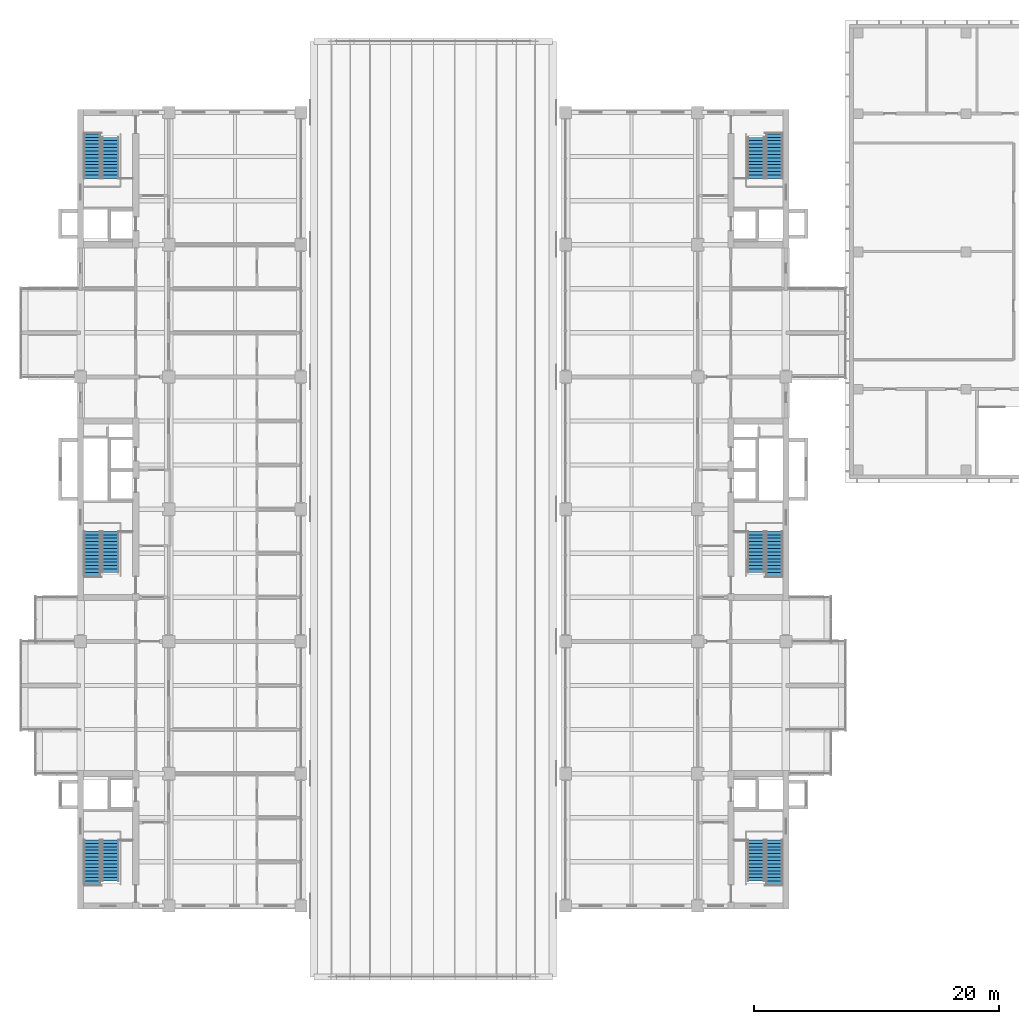
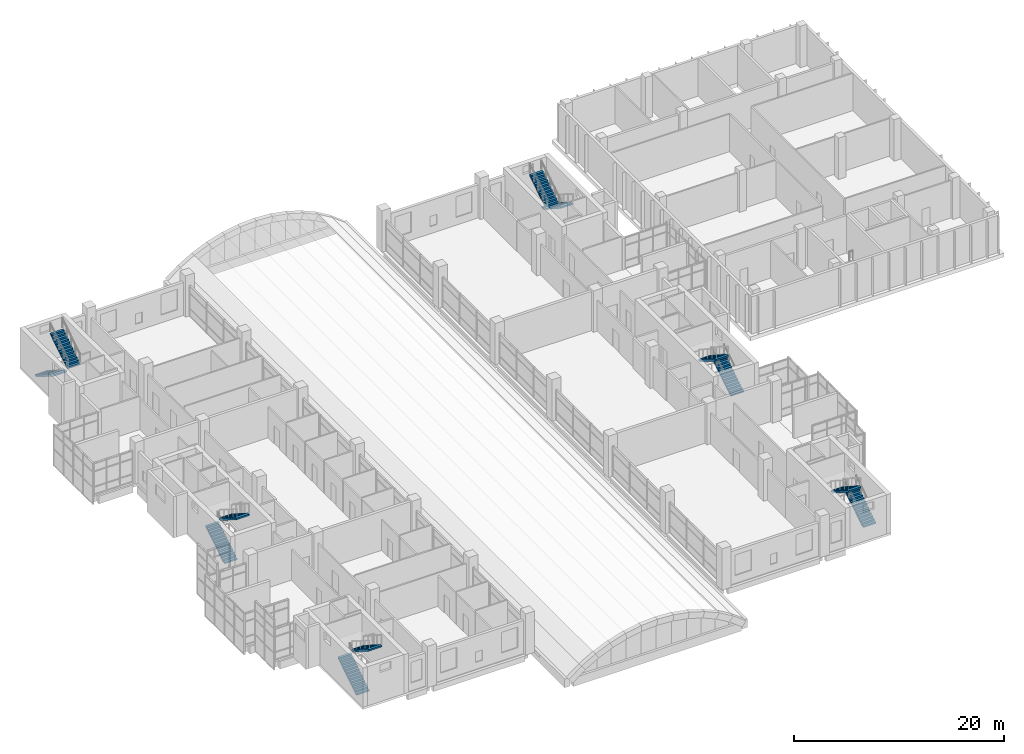
# One storey, part 39 of 45: 12 stair flights, 6 elements without a shape of their own.
"""IFC4 building model written with IfcOpenShell, lengths in metres."""

from ifc_helpers import new_model, si_unit, direction, frame, origin, place, context, subcontext, project, spatial, polyline, outline, extrude, material, type_object, element, aggregate, save


model = new_model("IFC4")

# Units and contexts
model_context = context("Model", 3, precision=1e-05, world=origin(), true_north=direction((0.0, 1.0)))
body_context = subcontext(model_context, "Body", "Model", "MODEL_VIEW")
ifc_project = project(units=[si_unit("LENGTHUNIT", "METRE"), si_unit("AREAUNIT", "SQUARE_METRE"), si_unit("VOLUMEUNIT", "CUBIC_METRE"), si_unit("PLANEANGLEUNIT", "RADIAN"), si_unit("MASSUNIT", "GRAM", prefix="KILO")], contexts=[model_context])

# Site, building, storey
site_placement = place(None, origin())
site = spatial("IfcSite", under=ifc_project, at=site_placement, CompositionType="ELEMENT")
building_placement = place(site_placement, origin())
building = spatial("IfcBuilding", under=site, at=building_placement, Name="Basin Gate Institute", CompositionType="ELEMENT")
storey_placement = place(building_placement, frame((0.0, 0.0, 22.199951171875)))
storey = spatial("IfcBuildingStorey", under=building, at=storey_placement, Name="L04", CompositionType="ELEMENT", Elevation=22.199951171875)

# Stair, stair flights
ifc_material_1 = material(Name="Concrete 40 MPa", Category="concrete")
stair_type = type_object("IfcStairType", Name="Stair ST", PredefinedType="HALF_TURN_STAIR", material=ifc_material_1)
stair_1_placement = place(storey_placement, origin())
stair_1 = element("IfcStair", 1, at=stair_1_placement, inside=storey, type_object=stair_type, material=ifc_material_1, Name="Special safe stair ST-WS L04", PredefinedType="HALF_TURN_STAIR")
ifc_material_2 = material(Name="Concrete 40 MPa", Category="concrete")
stair_flight_type = type_object("IfcStairFlightType", Name="Stair flight FL", PredefinedType="STRAIGHT", material=ifc_material_2)
stair_flight_1_placement = place(storey_placement, frame((62.14990234375, 36.85009765625, 0.0), z_axis=(0.0, 0.0, 1.0), x_axis=(0.0, 1.0, 0.0)))
stair_flight_1 = element("IfcStairFlight", 2, at=stair_flight_1_placement, type_object=stair_flight_type, material=ifc_material_2, Name="Stair flight ST-WS-F1 L04", NumberOfRisers=14, NumberOfTreads=13, PredefinedType="STRAIGHT", RiserHeight=0.177777778, TreadLength=0.28, context=body_context, shape_type="SweptSolid", body=[
    extrude(outline(polyline([(0.0, 0.0), (0.0, 0.177734375), (0.280029296875, 0.177734375), (0.280029296875, 0.35546875), (0.56005859375, 0.35546875), (0.56005859375, 0.533447265625), (0.840087890625, 0.533447265625), (0.840087890625, 0.711181640625), (1.1201171875, 0.711181640625), (1.1201171875, 0.888916015625), (1.39990234375, 0.888916015625), (1.39990234375, 1.066650390625), (1.679931640625, 1.066650390625), (1.679931640625, 1.244384765625), (1.9599609375, 1.244384765625), (1.9599609375, 1.422119140625), (2.239990234375, 1.422119140625), (2.239990234375, 1.60009765625), (2.52001953125, 1.60009765625), (2.52001953125, 1.77783203125), (2.800048828125, 1.77783203125), (2.800048828125, 1.95556640625), (3.080078125, 1.95556640625), (3.080078125, 2.13330078125), (3.360107421875, 2.13330078125), (3.360107421875, 2.31103515625), (3.639892578125, 2.31103515625), (3.639892578125, 2.48876953125), (3.639892578125, 2.133544921875), (0.27978515625, 0.0), (0.0, 0.0)])), frame((0.0, 0.699951171875, 0.0), z_axis=(0.0, -1.0, 0.0), x_axis=(1.0, 0.0, 0.0)), (0.0, 0.0, 1.0), 1.39990234375),
])
stair_flight_2_placement = place(storey_placement, frame((63.64990234375, 40.489990234375, 2.489013671875), z_axis=(0.0, 0.0, 1.0), x_axis=(0.0, -1.0, 0.0)))
stair_flight_2 = element("IfcStairFlight", 3, at=stair_flight_2_placement, type_object=stair_flight_type, material=ifc_material_2, Name="Stair flight ST-WS-F2 L04", NumberOfRisers=13, NumberOfTreads=12, PredefinedType="STRAIGHT", RiserHeight=0.177777778, TreadLength=0.28, context=body_context, shape_type="SweptSolid", body=[
    extrude(outline(polyline([(0.0, 0.0), (0.0, 0.177734375), (0.280029296875, 0.177734375), (0.280029296875, 0.35546875), (0.56005859375, 0.35546875), (0.56005859375, 0.533447265625), (0.840087890625, 0.533447265625), (0.840087890625, 0.711181640625), (1.1201171875, 0.711181640625), (1.1201171875, 0.888916015625), (1.39990234375, 0.888916015625), (1.39990234375, 1.066650390625), (1.679931640625, 1.066650390625), (1.679931640625, 1.244384765625), (1.9599609375, 1.244384765625), (1.9599609375, 1.422119140625), (2.239990234375, 1.422119140625), (2.239990234375, 1.60009765625), (2.52001953125, 1.60009765625), (2.52001953125, 1.77783203125), (2.800048828125, 1.77783203125), (2.800048828125, 1.95556640625), (3.080078125, 1.95556640625), (3.080078125, 2.13330078125), (3.360107421875, 2.13330078125), (3.360107421875, 2.31103515625), (3.360107421875, 1.955810546875), (0.27978515625, 0.0), (0.0, 0.0)])), frame((0.0, 0.699951171875, 0.0), z_axis=(0.0, -1.0, 0.0), x_axis=(1.0, 0.0, 0.0)), (0.0, 0.0, 1.0), 1.39990234375),
])
aggregate(stair_1, [stair_flight_1, stair_flight_2])

stair_2_placement = place(storey_placement, origin())
stair_2 = element("IfcStair", 4, at=stair_2_placement, inside=storey, type_object=stair_type, material=ifc_material_1, Name="Special safe stair ST-WM L04", PredefinedType="HALF_TURN_STAIR")
stair_flight_3_placement = place(storey_placement, frame((62.14990234375, 62.050048828125, 0.0), z_axis=(0.0, 0.0, 1.0), x_axis=(0.0, 1.0, 0.0)))
stair_flight_3 = element("IfcStairFlight", 5, at=stair_flight_3_placement, type_object=stair_flight_type, material=ifc_material_2, Name="Stair flight ST-WM-F1 L04", NumberOfRisers=14, NumberOfTreads=13, PredefinedType="STRAIGHT", RiserHeight=0.177777778, TreadLength=0.28, context=body_context, shape_type="SweptSolid", body=[
    extrude(outline(polyline([(0.0, 0.0), (0.0, 0.177734375), (0.280029296875, 0.177734375), (0.280029296875, 0.35546875), (0.56005859375, 0.35546875), (0.56005859375, 0.533447265625), (0.840087890625, 0.533447265625), (0.840087890625, 0.711181640625), (1.1201171875, 0.711181640625), (1.1201171875, 0.888916015625), (1.39990234375, 0.888916015625), (1.39990234375, 1.066650390625), (1.679931640625, 1.066650390625), (1.679931640625, 1.244384765625), (1.9599609375, 1.244384765625), (1.9599609375, 1.422119140625), (2.239990234375, 1.422119140625), (2.239990234375, 1.60009765625), (2.52001953125, 1.60009765625), (2.52001953125, 1.77783203125), (2.800048828125, 1.77783203125), (2.800048828125, 1.95556640625), (3.080078125, 1.95556640625), (3.080078125, 2.13330078125), (3.360107421875, 2.13330078125), (3.360107421875, 2.31103515625), (3.639892578125, 2.31103515625), (3.639892578125, 2.48876953125), (3.639892578125, 2.133544921875), (0.27978515625, 0.0), (0.0, 0.0)])), frame((0.0, 0.699951171875, 0.0), z_axis=(0.0, -1.0, 0.0), x_axis=(1.0, 0.0, 0.0)), (0.0, 0.0, 1.0), 1.39990234375),
])
stair_flight_4_placement = place(storey_placement, frame((63.64990234375, 65.68994140625, 2.489013671875), z_axis=(0.0, 0.0, 1.0), x_axis=(0.0, -1.0, 0.0)))
stair_flight_4 = element("IfcStairFlight", 6, at=stair_flight_4_placement, type_object=stair_flight_type, material=ifc_material_2, Name="Stair flight ST-WM-F2 L04", NumberOfRisers=13, NumberOfTreads=12, PredefinedType="STRAIGHT", RiserHeight=0.177777778, TreadLength=0.28, context=body_context, shape_type="SweptSolid", body=[
    extrude(outline(polyline([(0.0, 0.0), (0.0, 0.177734375), (0.280029296875, 0.177734375), (0.280029296875, 0.35546875), (0.56005859375, 0.35546875), (0.56005859375, 0.533447265625), (0.840087890625, 0.533447265625), (0.840087890625, 0.711181640625), (1.1201171875, 0.711181640625), (1.1201171875, 0.888916015625), (1.39990234375, 0.888916015625), (1.39990234375, 1.066650390625), (1.679931640625, 1.066650390625), (1.679931640625, 1.244384765625), (1.9599609375, 1.244384765625), (1.9599609375, 1.422119140625), (2.239990234375, 1.422119140625), (2.239990234375, 1.60009765625), (2.52001953125, 1.60009765625), (2.52001953125, 1.77783203125), (2.800048828125, 1.77783203125), (2.800048828125, 1.95556640625), (3.080078125, 1.95556640625), (3.080078125, 2.13330078125), (3.360107421875, 2.13330078125), (3.360107421875, 2.31103515625), (3.360107421875, 1.955810546875), (0.27978515625, 0.0), (0.0, 0.0)])), frame((0.0, 0.699951171875, 0.0), z_axis=(0.0, -1.0, 0.0), x_axis=(1.0, 0.0, 0.0)), (0.0, 0.0, 1.0), 1.39990234375),
])
aggregate(stair_2, [stair_flight_3, stair_flight_4])

stair_3_placement = place(storey_placement, origin())
stair_3 = element("IfcStair", 7, at=stair_3_placement, inside=storey, type_object=stair_type, material=ifc_material_1, Name="Special safe stair ST-WN L04", PredefinedType="HALF_TURN_STAIR")
stair_flight_5_placement = place(storey_placement, frame((62.14990234375, 98.14990234375, 0.0), z_axis=(0.0, 0.0, 1.0), x_axis=(0.0, -1.0, 0.0)))
stair_flight_5 = element("IfcStairFlight", 8, at=stair_flight_5_placement, type_object=stair_flight_type, material=ifc_material_2, Name="Stair flight ST-WN-F1 L04", NumberOfRisers=14, NumberOfTreads=13, PredefinedType="STRAIGHT", RiserHeight=0.177777778, TreadLength=0.28, context=body_context, shape_type="SweptSolid", body=[
    extrude(outline(polyline([(0.0, 0.0), (0.0, 0.177734375), (0.280029296875, 0.177734375), (0.280029296875, 0.35546875), (0.56005859375, 0.35546875), (0.56005859375, 0.533447265625), (0.840087890625, 0.533447265625), (0.840087890625, 0.711181640625), (1.1201171875, 0.711181640625), (1.1201171875, 0.888916015625), (1.39990234375, 0.888916015625), (1.39990234375, 1.066650390625), (1.679931640625, 1.066650390625), (1.679931640625, 1.244384765625), (1.9599609375, 1.244384765625), (1.9599609375, 1.422119140625), (2.239990234375, 1.422119140625), (2.239990234375, 1.60009765625), (2.52001953125, 1.60009765625), (2.52001953125, 1.77783203125), (2.800048828125, 1.77783203125), (2.800048828125, 1.95556640625), (3.080078125, 1.95556640625), (3.080078125, 2.13330078125), (3.360107421875, 2.13330078125), (3.360107421875, 2.31103515625), (3.639892578125, 2.31103515625), (3.639892578125, 2.48876953125), (3.639892578125, 2.133544921875), (0.27978515625, 0.0), (0.0, 0.0)])), frame((0.0, 0.699951171875, 0.0), z_axis=(0.0, -1.0, 0.0), x_axis=(1.0, 0.0, 0.0)), (0.0, 0.0, 1.0), 1.39990234375),
])
stair_flight_6_placement = place(storey_placement, frame((63.64990234375, 94.510009765625, 2.489013671875), z_axis=(0.0, 0.0, 1.0), x_axis=(0.0, 1.0, 0.0)))
stair_flight_6 = element("IfcStairFlight", 9, at=stair_flight_6_placement, type_object=stair_flight_type, material=ifc_material_2, Name="Stair flight ST-WN-F2 L04", NumberOfRisers=13, NumberOfTreads=12, PredefinedType="STRAIGHT", RiserHeight=0.177777778, TreadLength=0.28, context=body_context, shape_type="SweptSolid", body=[
    extrude(outline(polyline([(0.0, 0.0), (0.0, 0.177734375), (0.280029296875, 0.177734375), (0.280029296875, 0.35546875), (0.56005859375, 0.35546875), (0.56005859375, 0.533447265625), (0.840087890625, 0.533447265625), (0.840087890625, 0.711181640625), (1.1201171875, 0.711181640625), (1.1201171875, 0.888916015625), (1.39990234375, 0.888916015625), (1.39990234375, 1.066650390625), (1.679931640625, 1.066650390625), (1.679931640625, 1.244384765625), (1.9599609375, 1.244384765625), (1.9599609375, 1.422119140625), (2.239990234375, 1.422119140625), (2.239990234375, 1.60009765625), (2.52001953125, 1.60009765625), (2.52001953125, 1.77783203125), (2.800048828125, 1.77783203125), (2.800048828125, 1.95556640625), (3.080078125, 1.95556640625), (3.080078125, 2.13330078125), (3.360107421875, 2.13330078125), (3.360107421875, 2.31103515625), (3.360107421875, 1.955810546875), (0.27978515625, 0.0), (0.0, 0.0)])), frame((0.0, 0.699951171875, 0.0), z_axis=(0.0, -1.0, 0.0), x_axis=(1.0, 0.0, 0.0)), (0.0, 0.0, 1.0), 1.39990234375),
])
aggregate(stair_3, [stair_flight_5, stair_flight_6])

stair_4_placement = place(storey_placement, origin())
stair_4 = element("IfcStair", 10, at=stair_4_placement, inside=storey, type_object=stair_type, material=ifc_material_1, Name="Special safe stair ST-ES L04", PredefinedType="HALF_TURN_STAIR")
stair_flight_7_placement = place(storey_placement, frame((117.85009765625, 36.85009765625, 0.0), z_axis=(0.0, 0.0, 1.0), x_axis=(0.0, 1.0, 0.0)))
stair_flight_7 = element("IfcStairFlight", 11, at=stair_flight_7_placement, type_object=stair_flight_type, material=ifc_material_2, Name="Stair flight ST-ES-F1 L04", NumberOfRisers=14, NumberOfTreads=13, PredefinedType="STRAIGHT", RiserHeight=0.177777778, TreadLength=0.28, context=body_context, shape_type="SweptSolid", body=[
    extrude(outline(polyline([(0.0, 0.0), (0.0, 0.177734375), (0.280029296875, 0.177734375), (0.280029296875, 0.35546875), (0.56005859375, 0.35546875), (0.56005859375, 0.533447265625), (0.840087890625, 0.533447265625), (0.840087890625, 0.711181640625), (1.1201171875, 0.711181640625), (1.1201171875, 0.888916015625), (1.39990234375, 0.888916015625), (1.39990234375, 1.066650390625), (1.679931640625, 1.066650390625), (1.679931640625, 1.244384765625), (1.9599609375, 1.244384765625), (1.9599609375, 1.422119140625), (2.239990234375, 1.422119140625), (2.239990234375, 1.60009765625), (2.52001953125, 1.60009765625), (2.52001953125, 1.77783203125), (2.800048828125, 1.77783203125), (2.800048828125, 1.95556640625), (3.080078125, 1.95556640625), (3.080078125, 2.13330078125), (3.360107421875, 2.13330078125), (3.360107421875, 2.31103515625), (3.639892578125, 2.31103515625), (3.639892578125, 2.48876953125), (3.639892578125, 2.133544921875), (0.27978515625, 0.0), (0.0, 0.0)])), frame((0.0, 0.699951171875, 0.0), z_axis=(0.0, -1.0, 0.0), x_axis=(1.0, 0.0, 0.0)), (0.0, 0.0, 1.0), 1.39990234375),
])
stair_flight_8_placement = place(storey_placement, frame((116.35009765625, 40.489990234375, 2.489013671875), z_axis=(0.0, 0.0, 1.0), x_axis=(0.0, -1.0, 0.0)))
stair_flight_8 = element("IfcStairFlight", 12, at=stair_flight_8_placement, type_object=stair_flight_type, material=ifc_material_2, Name="Stair flight ST-ES-F2 L04", NumberOfRisers=13, NumberOfTreads=12, PredefinedType="STRAIGHT", RiserHeight=0.177777778, TreadLength=0.28, context=body_context, shape_type="SweptSolid", body=[
    extrude(outline(polyline([(0.0, 0.0), (0.0, 0.177734375), (0.280029296875, 0.177734375), (0.280029296875, 0.35546875), (0.56005859375, 0.35546875), (0.56005859375, 0.533447265625), (0.840087890625, 0.533447265625), (0.840087890625, 0.711181640625), (1.1201171875, 0.711181640625), (1.1201171875, 0.888916015625), (1.39990234375, 0.888916015625), (1.39990234375, 1.066650390625), (1.679931640625, 1.066650390625), (1.679931640625, 1.244384765625), (1.9599609375, 1.244384765625), (1.9599609375, 1.422119140625), (2.239990234375, 1.422119140625), (2.239990234375, 1.60009765625), (2.52001953125, 1.60009765625), (2.52001953125, 1.77783203125), (2.800048828125, 1.77783203125), (2.800048828125, 1.95556640625), (3.080078125, 1.95556640625), (3.080078125, 2.13330078125), (3.360107421875, 2.13330078125), (3.360107421875, 2.31103515625), (3.360107421875, 1.955810546875), (0.27978515625, 0.0), (0.0, 0.0)])), frame((0.0, 0.699951171875, 0.0), z_axis=(0.0, -1.0, 0.0), x_axis=(1.0, 0.0, 0.0)), (0.0, 0.0, 1.0), 1.39990234375),
])
aggregate(stair_4, [stair_flight_7, stair_flight_8])

stair_5_placement = place(storey_placement, origin())
stair_5 = element("IfcStair", 13, at=stair_5_placement, inside=storey, type_object=stair_type, material=ifc_material_1, Name="Special safe stair ST-EM L04", PredefinedType="HALF_TURN_STAIR")
stair_flight_9_placement = place(storey_placement, frame((117.85009765625, 62.050048828125, 0.0), z_axis=(0.0, 0.0, 1.0), x_axis=(0.0, 1.0, 0.0)))
stair_flight_9 = element("IfcStairFlight", 14, at=stair_flight_9_placement, type_object=stair_flight_type, material=ifc_material_2, Name="Stair flight ST-EM-F1 L04", NumberOfRisers=14, NumberOfTreads=13, PredefinedType="STRAIGHT", RiserHeight=0.177777778, TreadLength=0.28, context=body_context, shape_type="SweptSolid", body=[
    extrude(outline(polyline([(0.0, 0.0), (0.0, 0.177734375), (0.280029296875, 0.177734375), (0.280029296875, 0.35546875), (0.56005859375, 0.35546875), (0.56005859375, 0.533447265625), (0.840087890625, 0.533447265625), (0.840087890625, 0.711181640625), (1.1201171875, 0.711181640625), (1.1201171875, 0.888916015625), (1.39990234375, 0.888916015625), (1.39990234375, 1.066650390625), (1.679931640625, 1.066650390625), (1.679931640625, 1.244384765625), (1.9599609375, 1.244384765625), (1.9599609375, 1.422119140625), (2.239990234375, 1.422119140625), (2.239990234375, 1.60009765625), (2.52001953125, 1.60009765625), (2.52001953125, 1.77783203125), (2.800048828125, 1.77783203125), (2.800048828125, 1.95556640625), (3.080078125, 1.95556640625), (3.080078125, 2.13330078125), (3.360107421875, 2.13330078125), (3.360107421875, 2.31103515625), (3.639892578125, 2.31103515625), (3.639892578125, 2.48876953125), (3.639892578125, 2.133544921875), (0.27978515625, 0.0), (0.0, 0.0)])), frame((0.0, 0.699951171875, 0.0), z_axis=(0.0, -1.0, 0.0), x_axis=(1.0, 0.0, 0.0)), (0.0, 0.0, 1.0), 1.39990234375),
])
stair_flight_10_placement = place(storey_placement, frame((116.35009765625, 65.68994140625, 2.489013671875), z_axis=(0.0, 0.0, 1.0), x_axis=(0.0, -1.0, 0.0)))
stair_flight_10 = element("IfcStairFlight", 15, at=stair_flight_10_placement, type_object=stair_flight_type, material=ifc_material_2, Name="Stair flight ST-EM-F2 L04", NumberOfRisers=13, NumberOfTreads=12, PredefinedType="STRAIGHT", RiserHeight=0.177777778, TreadLength=0.28, context=body_context, shape_type="SweptSolid", body=[
    extrude(outline(polyline([(0.0, 0.0), (0.0, 0.177734375), (0.280029296875, 0.177734375), (0.280029296875, 0.35546875), (0.56005859375, 0.35546875), (0.56005859375, 0.533447265625), (0.840087890625, 0.533447265625), (0.840087890625, 0.711181640625), (1.1201171875, 0.711181640625), (1.1201171875, 0.888916015625), (1.39990234375, 0.888916015625), (1.39990234375, 1.066650390625), (1.679931640625, 1.066650390625), (1.679931640625, 1.244384765625), (1.9599609375, 1.244384765625), (1.9599609375, 1.422119140625), (2.239990234375, 1.422119140625), (2.239990234375, 1.60009765625), (2.52001953125, 1.60009765625), (2.52001953125, 1.77783203125), (2.800048828125, 1.77783203125), (2.800048828125, 1.95556640625), (3.080078125, 1.95556640625), (3.080078125, 2.13330078125), (3.360107421875, 2.13330078125), (3.360107421875, 2.31103515625), (3.360107421875, 1.955810546875), (0.27978515625, 0.0), (0.0, 0.0)])), frame((0.0, 0.699951171875, 0.0), z_axis=(0.0, -1.0, 0.0), x_axis=(1.0, 0.0, 0.0)), (0.0, 0.0, 1.0), 1.39990234375),
])
aggregate(stair_5, [stair_flight_9, stair_flight_10])

stair_6_placement = place(storey_placement, origin())
stair_6 = element("IfcStair", 16, at=stair_6_placement, inside=storey, type_object=stair_type, material=ifc_material_1, Name="Special safe stair ST-EN L04", PredefinedType="HALF_TURN_STAIR")
stair_flight_11_placement = place(storey_placement, frame((117.85009765625, 98.14990234375, 0.0), z_axis=(0.0, 0.0, 1.0), x_axis=(0.0, -1.0, 0.0)))
stair_flight_11 = element("IfcStairFlight", 17, at=stair_flight_11_placement, type_object=stair_flight_type, material=ifc_material_2, Name="Stair flight ST-EN-F1 L04", NumberOfRisers=14, NumberOfTreads=13, PredefinedType="STRAIGHT", RiserHeight=0.177777778, TreadLength=0.28, context=body_context, shape_type="SweptSolid", body=[
    extrude(outline(polyline([(0.0, 0.0), (0.0, 0.177734375), (0.280029296875, 0.177734375), (0.280029296875, 0.35546875), (0.56005859375, 0.35546875), (0.56005859375, 0.533447265625), (0.840087890625, 0.533447265625), (0.840087890625, 0.711181640625), (1.1201171875, 0.711181640625), (1.1201171875, 0.888916015625), (1.39990234375, 0.888916015625), (1.39990234375, 1.066650390625), (1.679931640625, 1.066650390625), (1.679931640625, 1.244384765625), (1.9599609375, 1.244384765625), (1.9599609375, 1.422119140625), (2.239990234375, 1.422119140625), (2.239990234375, 1.60009765625), (2.52001953125, 1.60009765625), (2.52001953125, 1.77783203125), (2.800048828125, 1.77783203125), (2.800048828125, 1.95556640625), (3.080078125, 1.95556640625), (3.080078125, 2.13330078125), (3.360107421875, 2.13330078125), (3.360107421875, 2.31103515625), (3.639892578125, 2.31103515625), (3.639892578125, 2.48876953125), (3.639892578125, 2.133544921875), (0.27978515625, 0.0), (0.0, 0.0)])), frame((0.0, 0.699951171875, 0.0), z_axis=(0.0, -1.0, 0.0), x_axis=(1.0, 0.0, 0.0)), (0.0, 0.0, 1.0), 1.39990234375),
])
stair_flight_12_placement = place(storey_placement, frame((116.35009765625, 94.510009765625, 2.489013671875), z_axis=(0.0, 0.0, 1.0), x_axis=(0.0, 1.0, 0.0)))
stair_flight_12 = element("IfcStairFlight", 18, at=stair_flight_12_placement, type_object=stair_flight_type, material=ifc_material_2, Name="Stair flight ST-EN-F2 L04", NumberOfRisers=13, NumberOfTreads=12, PredefinedType="STRAIGHT", RiserHeight=0.177777778, TreadLength=0.28, context=body_context, shape_type="SweptSolid", body=[
    extrude(outline(polyline([(0.0, 0.0), (0.0, 0.177734375), (0.280029296875, 0.177734375), (0.280029296875, 0.35546875), (0.56005859375, 0.35546875), (0.56005859375, 0.533447265625), (0.840087890625, 0.533447265625), (0.840087890625, 0.711181640625), (1.1201171875, 0.711181640625), (1.1201171875, 0.888916015625), (1.39990234375, 0.888916015625), (1.39990234375, 1.066650390625), (1.679931640625, 1.066650390625), (1.679931640625, 1.244384765625), (1.9599609375, 1.244384765625), (1.9599609375, 1.422119140625), (2.239990234375, 1.422119140625), (2.239990234375, 1.60009765625), (2.52001953125, 1.60009765625), (2.52001953125, 1.77783203125), (2.800048828125, 1.77783203125), (2.800048828125, 1.95556640625), (3.080078125, 1.95556640625), (3.080078125, 2.13330078125), (3.360107421875, 2.13330078125), (3.360107421875, 2.31103515625), (3.360107421875, 1.955810546875), (0.27978515625, 0.0), (0.0, 0.0)])), frame((0.0, 0.699951171875, 0.0), z_axis=(0.0, -1.0, 0.0), x_axis=(1.0, 0.0, 0.0)), (0.0, 0.0, 1.0), 1.39990234375),
])
aggregate(stair_6, [stair_flight_11, stair_flight_12])

save(model, "model.ifc")
